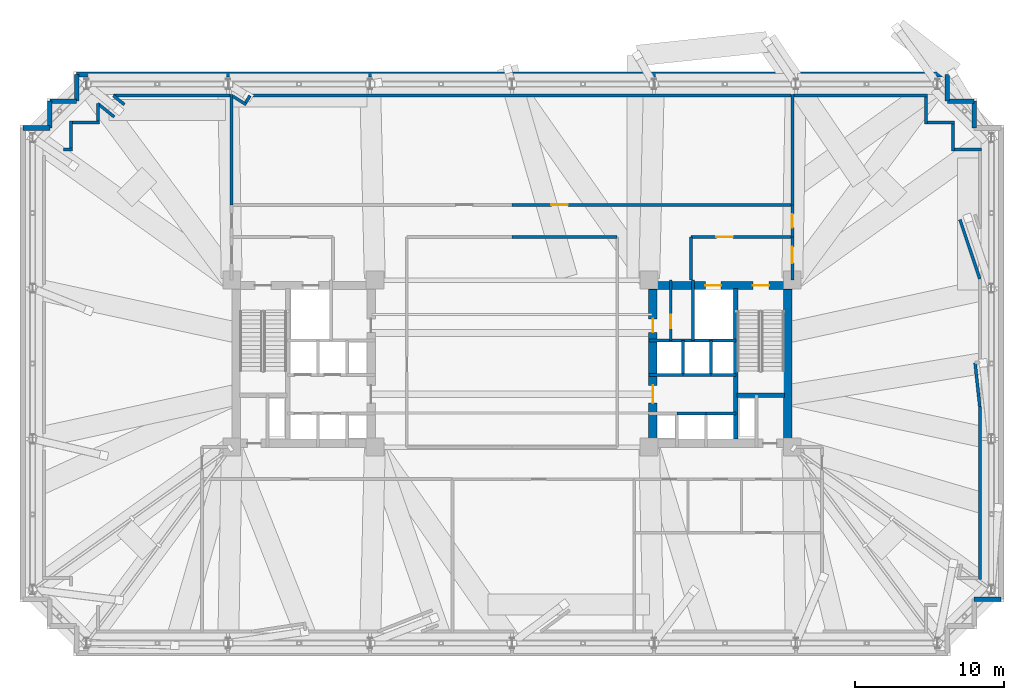
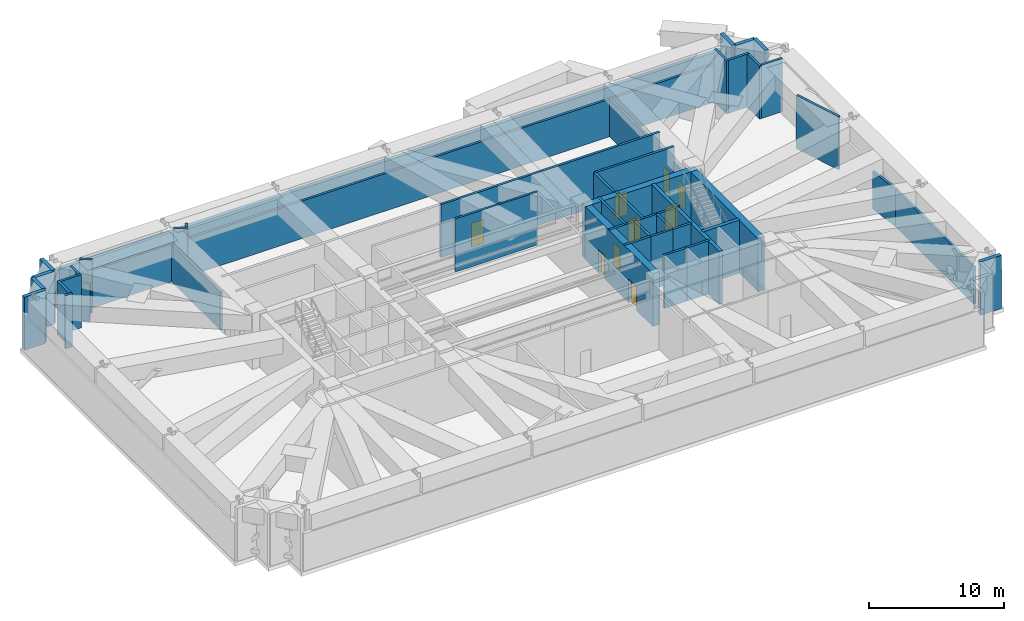
# One storey, part 17 of 20: 50 walls, 9 doors, 9 openings.
"""IFC4 building model written with IfcOpenShell, lengths in metres."""

from ifc_helpers import new_model, si_unit, direction, frame, frame_2d, origin, place, context, subcontext, project, spatial, rectangle, extrude, material, layer, layer_set, type_object, element, fill, save


model = new_model("IFC4")

# Units and contexts
model_context = context("Model", 3, precision=1e-05, world=origin(), true_north=direction((0.0, 1.0)))
body_context = subcontext(model_context, "Body", "Model", "MODEL_VIEW")
ifc_project = project(units=[si_unit("LENGTHUNIT", "METRE"), si_unit("AREAUNIT", "SQUARE_METRE"), si_unit("VOLUMEUNIT", "CUBIC_METRE"), si_unit("PLANEANGLEUNIT", "RADIAN"), si_unit("MASSUNIT", "GRAM", prefix="KILO")], contexts=[model_context])

# Site, building, storey
site_placement = place(None, origin())
site = spatial("IfcSite", under=ifc_project, at=site_placement, CompositionType="ELEMENT")
building_placement = place(site_placement, origin())
building = spatial("IfcBuilding", under=site, at=building_placement, Name="Qobustan Lattice House", CompositionType="ELEMENT")
storey_placement = place(building_placement, frame((0.0, 0.0, 73.89990234375)))
storey = spatial("IfcBuildingStorey", under=building, at=storey_placement, Name="L20", CompositionType="ELEMENT", Elevation=73.89990234375)

# Wall, openings, doors
ifc_material_1 = material(Name="Concrete C60/75", Category="concrete")
ifc_layer_1 = layer(ifc_material_1, 0.56005859375)
ifc_layer_set_1 = layer_set([ifc_layer_1], Name="Concrete C60/75")
wall_type_1 = type_object("IfcWallType", Name="WAL-CORE-600", PredefinedType="SHEAR", material=ifc_layer_set_1)
wall_1_placement = place(storey_placement, frame((9.199951171875, 5.239990234375, 0.0), z_axis=(0.0, 0.0, 1.0), x_axis=(1.0, 0.0, 0.0)))
wall_1 = element("IfcWall", 1, at=wall_1_placement, inside=storey, type_object=wall_type_1, Name="L20 split-core shear wall CE-N", PredefinedType="SHEAR", context=body_context, shape_type="SweptSolid", body=[
    extrude(rectangle(XDim=9.60009765625, YDim=0.56005859375, at=frame_2d((4.800048828125, 0.0))), origin(), (0.0, 0.0, 1.0), 4.820068359375),
])
opening_1_placement = place(wall_1_placement, frame((6.949951171875, 0.0, 0.0)))
opening_1 = element("IfcOpeningElement", 2, at=opening_1_placement, cuts=wall_1, Name="Opening SD-01", PredefinedType="OPENING", context=body_context, shape_type="SweptSolid", body=[
    extrude(rectangle(XDim=1.10009765625, YDim=2.14990234375, at=frame_2d((0.550048828125, 1.074951171875))), frame((0.0, 0.2900390625, 0.0), z_axis=(0.0, -1.0, 0.0), x_axis=(1.0, 0.0, 0.0)), (0.0, 0.0, 1.0), 0.580078125),
])
opening_2_placement = place(wall_1_placement, frame((3.77490234375, 0.0, 0.0)))
opening_2 = element("IfcOpeningElement", 3, at=opening_2_placement, cuts=wall_1, Name="Opening LD-01", PredefinedType="OPENING", context=body_context, shape_type="SweptSolid", body=[
    extrude(rectangle(XDim=1.050048828125, YDim=2.10009765625, at=frame_2d((0.52490234375, 1.050048828125))), frame((0.0, 0.2900390625, 0.0), z_axis=(0.0, -1.0, 0.0), x_axis=(1.0, 0.0, 0.0)), (0.0, 0.0, 1.0), 0.580078125),
])
ifc_material_2 = material(Name="Persian walnut timber and steel frame door", Category="steel")
door_type_1 = type_object("IfcDoorType", Name="DOR-LIFT-LD-1050x2100", OperationType="NOTDEFINED", PredefinedType="DOOR", material=ifc_material_2)
door_1_placement = place(opening_2_placement, origin())
door_1 = element("IfcDoor", 4, at=door_1_placement, inside=storey, type_object=door_type_1, Name="L20 firefighting lift FF-E landing door", OperationType="DOUBLE_DOOR_SLIDING", OverallHeight=2.10009765625, OverallWidth=1.050048828125, PredefinedType="DOOR", context=body_context, shape_type="SweptSolid", body=[
    extrude(rectangle(XDim=1.050048828125, YDim=2.10009765625, at=frame_2d((0.52490234375, 1.050048828125))), frame((0.0, 0.02490234375, 0.0), z_axis=(0.0, -1.0, 0.0), x_axis=(1.0, 0.0, 0.0)), (0.0, 0.0, 1.0), 0.050048828125),
])
fill(opening_2, door_1)
ifc_material_3 = material(Name="Persian walnut timber and steel frame door", Category="steel")
door_type_2 = type_object("IfcDoorType", Name="DOR-STAIR-FD-1100x2150", OperationType="NOTDEFINED", PredefinedType="DOOR", material=ifc_material_3)
door_2_placement = place(opening_1_placement, origin())
door_2 = element("IfcDoor", 5, at=door_2_placement, inside=storey, type_object=door_type_2, Name="L20 exit stair ST-E1 fire door", OperationType="SINGLE_SWING_RIGHT", OverallHeight=2.14990234375, OverallWidth=1.10009765625, PredefinedType="DOOR", context=body_context, shape_type="SweptSolid", body=[
    extrude(rectangle(XDim=1.10009765625, YDim=2.14990234375, at=frame_2d((0.550048828125, 1.074951171875))), frame((0.0, 0.02490234375, 0.0), z_axis=(0.0, -1.0, 0.0), x_axis=(1.0, 0.0, 0.0)), (0.0, 0.0, 1.0), 0.050048828125),
])
fill(opening_1, door_2)

wall_2_placement = place(storey_placement, frame((9.449951171875, -5.050048828125, 0.0), z_axis=(0.0, 0.0, 1.0), x_axis=(0.0, 1.0, 0.0)))
wall_2 = element("IfcWall", 6, at=wall_2_placement, inside=storey, type_object=wall_type_1, Name="L20 split-core shear wall CE-W", PredefinedType="SHEAR", context=body_context, shape_type="SweptSolid", body=[
    extrude(rectangle(XDim=10.10009765625, YDim=0.56005859375, at=frame_2d((5.050048828125, 0.0))), origin(), (0.0, 0.0, 1.0), 4.820068359375),
])
opening_3_placement = place(wall_2_placement, frame((7.14990234375, 0.0, 0.0)))
opening_3 = element("IfcOpeningElement", 7, at=opening_3_placement, cuts=wall_2, Name="Opening RD-01", PredefinedType="OPENING", context=body_context, shape_type="SweptSolid", body=[
    extrude(rectangle(XDim=0.89990234375, YDim=2.10009765625, at=frame_2d((0.449951171875, 1.050048828125))), frame((0.0, 0.2900390625, 0.0), z_axis=(0.0, -1.0, 0.0), x_axis=(1.0, 0.0, 0.0)), (0.0, 0.0, 1.0), 0.580078125),
])
opening_4_placement = place(wall_2_placement, frame((2.39990234375, 0.0, 0.0)))
opening_4 = element("IfcOpeningElement", 8, at=opening_4_placement, cuts=wall_2, Name="Opening FD-01", PredefinedType="OPENING", context=body_context, shape_type="SweptSolid", body=[
    extrude(rectangle(XDim=1.199951171875, YDim=2.14990234375, at=frame_2d((0.60009765625, 1.074951171875))), frame((0.0, 0.2900390625, 0.0), z_axis=(0.0, -1.0, 0.0), x_axis=(1.0, 0.0, 0.0)), (0.0, 0.0, 1.0), 0.580078125),
])
ifc_material_4 = material(Name="Persian walnut timber and steel frame door", Category="steel")
door_type_3 = type_object("IfcDoorType", Name="DOR-LOBBY-FD-1200x2150", OperationType="NOTDEFINED", PredefinedType="DOOR", material=ifc_material_4)
door_3_placement = place(opening_4_placement, origin())
door_3 = element("IfcDoor", 9, at=door_3_placement, inside=storey, type_object=door_type_3, Name="L20 East passenger lift lobby fire door", OperationType="SINGLE_SWING_LEFT", OverallHeight=2.14990234375, OverallWidth=1.199951171875, PredefinedType="DOOR", context=body_context, shape_type="SweptSolid", body=[
    extrude(rectangle(XDim=1.199951171875, YDim=2.14990234375, at=frame_2d((0.60009765625, 1.074951171875))), frame((0.0, 0.02490234375, 0.0), z_axis=(0.0, -1.0, 0.0), x_axis=(1.0, 0.0, 0.0)), (0.0, 0.0, 1.0), 0.050048828125),
])
fill(opening_4, door_3)
ifc_material_5 = material(Name="Persian walnut timber and steel frame door", Category="steel")
door_type_4 = type_object("IfcDoorType", Name="DOR-RISER-FD-900x2100", OperationType="NOTDEFINED", PredefinedType="DOOR", material=ifc_material_5)
door_4_placement = place(opening_3_placement, origin())
door_4 = element("IfcDoor", 10, at=door_4_placement, inside=storey, type_object=door_type_4, Name="L20 Print and mail closet fire door", OperationType="SINGLE_SWING_RIGHT", OverallHeight=2.10009765625, OverallWidth=0.89990234375, PredefinedType="DOOR", context=body_context, shape_type="SweptSolid", body=[
    extrude(rectangle(XDim=0.89990234375, YDim=2.10009765625, at=frame_2d((0.449951171875, 1.050048828125))), frame((0.0, 0.02490234375, 0.0), z_axis=(0.0, -1.0, 0.0), x_axis=(1.0, 0.0, 0.0)), (0.0, 0.0, 1.0), 0.050048828125),
])
fill(opening_3, door_4)

# Walls
wall_3_placement = place(storey_placement, frame((18.489990234375, -5.050048828125, 0.0), z_axis=(0.0, 0.0, 1.0), x_axis=(0.0, 1.0, 0.0)))
element("IfcWall", 11, at=wall_3_placement, inside=storey, type_object=wall_type_1, Name="L20 split-core shear wall CE-E", PredefinedType="SHEAR", context=body_context, shape_type="SweptSolid", body=[
    extrude(rectangle(XDim=10.10009765625, YDim=0.56005859375, at=frame_2d((5.050048828125, 0.0))), origin(), (0.0, 0.0, 1.0), 4.820068359375),
])
ifc_material_6 = material(Name="Concrete C50/60", Category="concrete")
ifc_layer_2 = layer(ifc_material_6, 0.280029296875)
ifc_layer_set_2 = layer_set([ifc_layer_2], Name="Concrete C50/60")
wall_type_2 = type_object("IfcWallType", Name="WAL-CORE-SPINE-280", PredefinedType="SHEAR", material=ifc_layer_set_2)
wall_4_placement = place(storey_placement, frame((15.02001953125, -5.050048828125, 0.0), z_axis=(0.0, 0.0, 1.0), x_axis=(0.0, 1.0, 0.0)))
element("IfcWall", 12, at=wall_4_placement, inside=storey, type_object=wall_type_2, Name="L20 split-core shear wall CE-M", PredefinedType="SHEAR", context=body_context, shape_type="SweptSolid", body=[
    extrude(rectangle(XDim=10.10009765625, YDim=0.300048828125, at=frame_2d((5.050048828125, 0.0))), origin(), (0.0, 0.0, 1.0), 4.820068359375),
])
wall_5_placement = place(storey_placement, frame((15.10009765625, -2.110107421875, 0.0), z_axis=(0.0, 0.0, 1.0), x_axis=(1.0, 0.0, 0.0)))
element("IfcWall", 13, at=wall_5_placement, inside=storey, type_object=wall_type_2, Name="L20 split-core shear wall CE-ST", PredefinedType="SHEAR", context=body_context, shape_type="SweptSolid", body=[
    extrude(rectangle(XDim=3.179931640625, YDim=0.300048828125, at=frame_2d((1.58984375, 0.0))), origin(), (0.0, 0.0, 1.0), 4.820068359375),
])
ifc_material_7 = material(Name="Precast concrete C40/50", Category="concrete")
ifc_layer_3 = layer(ifc_material_7, 0.320068359375)
ifc_layer_set_3 = layer_set([ifc_layer_3], Name="Precast concrete C40/50")
wall_type_3 = type_object("IfcWallType", Name="WAL-EXT-STONE-320", PredefinedType="SOLIDWALL", material=ifc_layer_set_3)
for number, where, z_axis, x_axis, name in (
    (14, (-32.800048828125, 15.800048828125, 0.0), (0.0, 0.0, 1.0), (1.0, 0.0, 0.0), "L20 exterior limestone-clad wall 6"),
    (15, (-31.0, 15.800048828125, 0.0), (0.0, 0.0, 1.0), (0.0, 1.0, 0.0), "L20 exterior limestone-clad wall 7"),
    (16, (-31.0, 17.60009765625, 0.0), (0.0, 0.0, 1.0), (1.0, 0.0, 0.0), "L20 exterior limestone-clad wall 8"),
):
    element("IfcWall", number, at=place(storey_placement, frame(where, z_axis=z_axis, x_axis=x_axis)), inside=storey, type_object=wall_type_3, Name=name, PredefinedType="SOLIDWALL", context=body_context, shape_type="SweptSolid", body=[
        extrude(rectangle(XDim=1.800048828125, YDim=0.320068359375, at=frame_2d((0.89990234375, 0.0))), origin(), (0.0, 0.0, 1.0), 4.820068359375),
    ])
wall_6_placement = place(storey_placement, frame((-29.199951171875, 17.60009765625, 0.0), z_axis=(0.0, 0.0, 1.0), x_axis=(0.0, 1.0, 0.0)))
element("IfcWall", 17, at=wall_6_placement, inside=storey, type_object=wall_type_3, Name="L20 exterior limestone-clad wall 9", PredefinedType="SOLIDWALL", context=body_context, shape_type="SweptSolid", body=[
    extrude(rectangle(XDim=1.7998046875, YDim=0.320068359375, at=frame_2d((0.89990234375, 0.0))), origin(), (0.0, 0.0, 1.0), 4.820068359375),
])
wall_7_placement = place(storey_placement, frame((-29.199951171875, 19.39990234375, 0.0), z_axis=(0.0, 0.0, 1.0), x_axis=(1.0, 0.0, 0.0)))
element("IfcWall", 18, at=wall_7_placement, inside=storey, type_object=wall_type_3, Name="L20 exterior limestone-clad wall 10", PredefinedType="SOLIDWALL", context=body_context, shape_type="SweptSolid", body=[
    extrude(rectangle(XDim=58.39990234375, YDim=0.320068359375, at=frame_2d((29.199951171875, 0.0))), origin(), (0.0, 0.0, 1.0), 3.405029296875),
])
wall_8_placement = place(storey_placement, frame((29.199951171875, 19.39990234375, 0.0), z_axis=(0.0, 0.0, 1.0), x_axis=(0.0, -1.0, 0.0)))
element("IfcWall", 19, at=wall_8_placement, inside=storey, type_object=wall_type_3, Name="L20 exterior limestone-clad wall 11", PredefinedType="SOLIDWALL", context=body_context, shape_type="SweptSolid", body=[
    extrude(rectangle(XDim=1.7998046875, YDim=0.320068359375, at=frame_2d((0.89990234375, 0.0))), origin(), (0.0, 0.0, 1.0), 4.820068359375),
])
for number, where, z_axis, x_axis, name in (
    (20, (29.199951171875, 17.60009765625, 0.0), (0.0, 0.0, 1.0), (1.0, 0.0, 0.0), "L20 exterior limestone-clad wall 12"),
    (21, (31.0, 17.60009765625, 0.0), (0.0, 0.0, 1.0), (0.0, -1.0, 0.0), "L20 exterior limestone-clad wall 13"),
    (22, (32.800048828125, -15.800048828125, 0.0), (0.0, 0.0, 1.0), (-1.0, 0.0, 0.0), "L20 exterior limestone-clad wall 16"),
):
    element("IfcWall", number, at=place(storey_placement, frame(where, z_axis=z_axis, x_axis=x_axis)), inside=storey, type_object=wall_type_3, Name=name, PredefinedType="SOLIDWALL", context=body_context, shape_type="SweptSolid", body=[
        extrude(rectangle(XDim=1.800048828125, YDim=0.320068359375, at=frame_2d((0.89990234375, 0.0))), origin(), (0.0, 0.0, 1.0), 4.820068359375),
    ])

# Wall, opening, door
ifc_material_8 = material(Name="Gypsum fireboard acoustic partition", Category="gypsum")
ifc_layer_4 = layer(ifc_material_8, 0.179931640625)
ifc_layer_set_4 = layer_set([ifc_layer_4], Name="Gypsum fireboard acoustic partition")
wall_type_4 = type_object("IfcWallType", Name="WAL-FIRE-180", PredefinedType="PARTITIONING", material=ifc_layer_set_4)
wall_9_placement = place(storey_placement, frame((10.64990234375, 1.550048828125, 0.0), z_axis=(0.0, 0.0, 1.0), x_axis=(0.0, 1.0, 0.0)))
wall_9 = element("IfcWall", 23, at=wall_9_placement, inside=storey, type_object=wall_type_4, Name="L20 interior partition 23", PredefinedType="PARTITIONING", context=body_context, shape_type="SweptSolid", body=[
    extrude(rectangle(XDim=4.050048828125, YDim=0.179931640625, at=frame_2d((2.02490234375, 0.0))), origin(), (0.0, 0.0, 1.0), 4.820068359375),
])
opening_5_placement = place(wall_9_placement, frame((0.828857421875, 0.0, 0.0)))
opening_5 = element("IfcOpeningElement", 24, at=opening_5_placement, cuts=wall_9, Name="Opening RD-01", PredefinedType="OPENING", context=body_context, shape_type="SweptSolid", body=[
    extrude(rectangle(XDim=0.89990234375, YDim=2.10009765625, at=frame_2d((0.449951171875, 1.050048828125))), frame((0.0, 0.099853515625, 0.0), z_axis=(0.0, -1.0, 0.0), x_axis=(1.0, 0.0, 0.0)), (0.0, 0.0, 1.0), 0.199951171875),
])
door_5_placement = place(opening_5_placement, origin())
door_5 = element("IfcDoor", 25, at=door_5_placement, inside=storey, type_object=door_type_4, Name="L20 Print and mail closet to Core utility store door", OperationType="SINGLE_SWING_LEFT", OverallHeight=2.10009765625, OverallWidth=0.89990234375, PredefinedType="DOOR", context=body_context, shape_type="SweptSolid", body=[
    extrude(rectangle(XDim=0.89990234375, YDim=2.10009765625, at=frame_2d((0.449951171875, 1.050048828125))), frame((0.0, 0.02490234375, 0.0), z_axis=(0.0, -1.0, 0.0), x_axis=(1.0, 0.0, 0.0)), (0.0, 0.0, 1.0), 0.050048828125),
])
fill(opening_5, door_5)

# Walls
wall_10_placement = place(storey_placement, frame((7.050048828125, 8.5, 0.0), z_axis=(0.0, 0.0, 1.0), x_axis=(-1.0, 0.0, 0.0)))
element("IfcWall", 26, at=wall_10_placement, inside=storey, type_object=wall_type_4, Name="L20 interior partition 41", PredefinedType="PARTITIONING", context=body_context, shape_type="SweptSolid", body=[
    extrude(rectangle(XDim=7.050048828125, YDim=0.179931640625, at=frame_2d((3.52490234375, 0.0))), origin(), (0.0, 0.0, 1.0), 4.820068359375),
])
ifc_material_9 = material(Name="Two-hour gypsum fireboard acoustic partition", Category="gypsum")
ifc_layer_5 = layer(ifc_material_9, 0.199951171875)
ifc_layer_set_5 = layer_set([ifc_layer_5], Name="Two-hour gypsum fireboard acoustic partition")
wall_type_5 = type_object("IfcWallType", Name="WAL-PROT-200", PredefinedType="PARTITIONING", material=ifc_layer_set_5)
wall_11_placement = place(storey_placement, frame((-30.080078125, 14.375, 0.0), z_axis=(0.0, 0.0, 1.0), x_axis=(1.0, 0.0, 0.0)))
element("IfcWall", 27, at=wall_11_placement, inside=storey, type_object=wall_type_5, Name="L20 perimeter belt-truss plenum enclosure wall 11", PredefinedType="PARTITIONING", context=body_context, shape_type="SweptSolid", body=[
    extrude(rectangle(XDim=0.60498046875, YDim=0.199951171875, at=frame_2d((0.302490234375, 0.0))), origin(), (0.0, 0.0, 1.0), 4.820068359375),
])
for number, where, z_axis, x_axis, name in (
    (28, (-29.574951171875, 14.462890625, 0.0), (0.0, 0.0, 1.0), (0.0, 1.0, 0.0), "L20 perimeter belt-truss plenum enclosure wall 12"),
    (29, (-29.487060546875, 16.175048828125, 0.0), (0.0, 0.0, 1.0), (1.0, 0.0, 0.0), "L20 perimeter belt-truss plenum enclosure wall 13"),
):
    element("IfcWall", number, at=place(storey_placement, frame(where, z_axis=z_axis, x_axis=x_axis)), inside=storey, type_object=wall_type_5, Name=name, PredefinedType="PARTITIONING", context=body_context, shape_type="SweptSolid", body=[
        extrude(rectangle(XDim=1.81201171875, YDim=0.199951171875, at=frame_2d((0.906005859375, 0.0))), origin(), (0.0, 0.0, 1.0), 4.820068359375),
    ])
wall_12_placement = place(storey_placement, frame((-27.77490234375, 16.262939453125, 0.0), z_axis=(0.0, 0.0, 1.0), x_axis=(0.0, 1.0, 0.0)))
element("IfcWall", 30, at=wall_12_placement, inside=storey, type_object=wall_type_5, Name="L20 perimeter belt-truss plenum enclosure wall 14", PredefinedType="PARTITIONING", context=body_context, shape_type="SweptSolid", body=[
    extrude(rectangle(XDim=1.173095703125, YDim=0.199951171875, at=frame_2d((0.58642578125, 0.0))), origin(), (0.0, 0.0, 1.0), 4.820068359375),
])
wall_13_placement = place(storey_placement, frame((-27.77490234375, 17.43603515625, 0.0), z_axis=(0.0, 0.0, 1.0), x_axis=(0.777805344516, -0.628505247426, 0.0)))
element("IfcWall", 31, at=wall_13_placement, inside=storey, type_object=wall_type_5, Name="L20 perimeter belt-truss plenum enclosure wall 15", PredefinedType="PARTITIONING", context=body_context, shape_type="SweptSolid", body=[
    extrude(rectangle(XDim=1.41943359375, YDim=0.199951171875, at=frame_2d((0.709716796875, 0.0))), origin(), (0.0, 0.0, 1.0), 3.405029296875),
])
wall_14_placement = place(storey_placement, frame((-25.998291015625, 17.376220703125, 0.0), z_axis=(0.0, 0.0, 1.0), x_axis=(-0.777835201167, 0.628468296595, 0.0)))
element("IfcWall", 32, at=wall_14_placement, inside=storey, type_object=wall_type_5, Name="L20 perimeter belt-truss plenum enclosure wall 16", PredefinedType="PARTITIONING", context=body_context, shape_type="SweptSolid", body=[
    extrude(rectangle(XDim=0.952880859375, YDim=0.199951171875, at=frame_2d((0.4765625, 0.0))), origin(), (0.0, 0.0, 1.0), 4.820068359375),
])
wall_15_placement = place(storey_placement, frame((-26.739501953125, 17.97509765625, 0.0), z_axis=(0.0, 0.0, 1.0), x_axis=(1.0, 0.0, 0.0)))
element("IfcWall", 33, at=wall_15_placement, inside=storey, type_object=wall_type_5, Name="L20 perimeter belt-truss plenum enclosure wall 17", PredefinedType="PARTITIONING", context=body_context, shape_type="SweptSolid", body=[
    extrude(rectangle(XDim=7.864501953125, YDim=0.199951171875, at=frame_2d((3.93212890625, 0.0))), origin(), (0.0, 0.0, 1.0), 3.405029296875),
])
wall_16_placement = place(storey_placement, frame((-18.72509765625, 17.93115234375, 0.0), z_axis=(0.0, 0.0, 1.0), x_axis=(0.851127987043, -0.524958236122, 0.0)))
element("IfcWall", 34, at=wall_16_placement, inside=storey, type_object=wall_type_5, Name="L20 perimeter belt-truss plenum enclosure wall 25", PredefinedType="PARTITIONING", context=body_context, shape_type="SweptSolid", body=[
    extrude(rectangle(XDim=1.059814453125, YDim=0.199951171875, at=frame_2d((0.52978515625, 0.0))), origin(), (0.0, 0.0, 1.0), 4.820068359375),
])
wall_17_placement = place(storey_placement, frame((-17.86181640625, 17.502197265625, 0.0), z_axis=(0.0, 0.0, 1.0), x_axis=(0.525053160406, 0.85106943239, 0.0)))
element("IfcWall", 35, at=wall_17_placement, inside=storey, type_object=wall_type_5, Name="L20 perimeter belt-truss plenum enclosure wall 26", PredefinedType="PARTITIONING", context=body_context, shape_type="SweptSolid", body=[
    extrude(rectangle(XDim=0.5556640625, YDim=0.199951171875, at=frame_2d((0.27783203125, 0.0))), origin(), (0.0, 0.0, 1.0), 4.820068359375),
])
wall_18_placement = place(storey_placement, frame((-17.570068359375, 17.97509765625, 0.0), z_axis=(0.0, 0.0, 1.0), x_axis=(1.0, 0.0, 0.0)))
element("IfcWall", 36, at=wall_18_placement, inside=storey, type_object=wall_type_5, Name="L20 perimeter belt-truss plenum enclosure wall 27", PredefinedType="PARTITIONING", context=body_context, shape_type="SweptSolid", body=[
    extrude(rectangle(XDim=36.295166015625, YDim=0.199951171875, at=frame_2d((18.1474609375, 0.0))), origin(), (0.0, 0.0, 1.0), 3.405029296875),
])
wall_19_placement = place(storey_placement, frame((30.0458984375, 9.657470703125, 0.0), z_axis=(0.0, 0.0, 1.0), x_axis=(0.316996279217, -0.948426781023, 0.0)))
element("IfcWall", 37, at=wall_19_placement, inside=storey, type_object=wall_type_5, Name="L20 perimeter belt-truss plenum enclosure wall 31", PredefinedType="PARTITIONING", context=body_context, shape_type="SweptSolid", body=[
    extrude(rectangle(XDim=4.19287109375, YDim=0.199951171875, at=frame_2d((2.096435546875, 0.0))), origin(), (0.0, 0.0, 1.0), 4.820068359375),
])
wall_20_placement = place(storey_placement, frame((31.05810546875, 0.0595703125, 0.0), z_axis=(0.0, 0.0, 1.0), x_axis=(0.107734616404, -0.994179688199, 0.0)))
element("IfcWall", 38, at=wall_20_placement, inside=storey, type_object=wall_type_5, Name="L20 perimeter belt-truss plenum enclosure wall 34", PredefinedType="PARTITIONING", context=body_context, shape_type="SweptSolid", body=[
    extrude(rectangle(XDim=2.94140625, YDim=0.199951171875, at=frame_2d((1.470703125, 0.0))), origin(), (0.0, 0.0, 1.0), 3.405029296875),
])
wall_21_placement = place(storey_placement, frame((31.375, -2.86474609375, 0.0), z_axis=(0.0, 0.0, 1.0), x_axis=(0.0, -1.0, 0.0)))
element("IfcWall", 39, at=wall_21_placement, inside=storey, type_object=wall_type_5, Name="L20 perimeter belt-truss plenum enclosure wall 35", PredefinedType="PARTITIONING", context=body_context, shape_type="SweptSolid", body=[
    extrude(rectangle(XDim=11.6103515625, YDim=0.199951171875, at=frame_2d((5.80517578125, 0.0))), origin(), (0.0, 0.0, 1.0), 3.405029296875),
])
wall_22_placement = place(storey_placement, frame((18.875, 17.97509765625, 0.0), z_axis=(0.0, 0.0, 1.0), x_axis=(1.0, 0.0, 0.0)))
element("IfcWall", 40, at=wall_22_placement, inside=storey, type_object=wall_type_5, Name="L20 perimeter belt-truss plenum enclosure wall 41", PredefinedType="PARTITIONING", context=body_context, shape_type="SweptSolid", body=[
    extrude(rectangle(XDim=9.0, YDim=0.199951171875, at=frame_2d((4.5, 0.0))), origin(), (0.0, 0.0, 1.0), 3.405029296875),
])
for number, where, z_axis, x_axis, name in (
    (41, (27.77490234375, 17.886962890625, 0.0), (0.0, 0.0, 1.0), (0.0, -1.0, 0.0), "L20 perimeter belt-truss plenum enclosure wall 42"),
    (42, (27.863037109375, 16.175048828125, 0.0), (0.0, 0.0, 1.0), (1.0, 0.0, 0.0), "L20 perimeter belt-truss plenum enclosure wall 43"),
    (43, (29.574951171875, 16.0869140625, 0.0), (0.0, 0.0, 1.0), (0.0, -1.0, 0.0), "L20 perimeter belt-truss plenum enclosure wall 44"),
    (44, (29.6630859375, 14.375, 0.0), (0.0, 0.0, 1.0), (1.0, 0.0, 0.0), "L20 perimeter belt-truss plenum enclosure wall 45"),
):
    element("IfcWall", number, at=place(storey_placement, frame(where, z_axis=z_axis, x_axis=x_axis)), inside=storey, type_object=wall_type_5, Name=name, PredefinedType="PARTITIONING", context=body_context, shape_type="SweptSolid", body=[
        extrude(rectangle(XDim=1.81201171875, YDim=0.199951171875, at=frame_2d((0.906005859375, 0.0))), origin(), (0.0, 0.0, 1.0), 4.820068359375),
    ])

# Wall, opening, door
wall_23_placement = place(storey_placement, frame((18.800048828125, 8.5, 0.0), z_axis=(0.0, 0.0, 1.0), x_axis=(-1.0, 0.0, 0.0)))
wall_23 = element("IfcWall", 45, at=wall_23_placement, inside=storey, type_object=wall_type_5, Name="L20 interior partition 20", PredefinedType="PARTITIONING", context=body_context, shape_type="SweptSolid", body=[
    extrude(rectangle(XDim=6.800048828125, YDim=0.199951171875, at=frame_2d((3.39990234375, 0.0))), origin(), (0.0, 0.0, 1.0), 4.820068359375),
])
opening_6_placement = place(wall_23_placement, frame((3.985107421875, 0.0, 0.0)))
opening_6 = element("IfcOpeningElement", 46, at=opening_6_placement, cuts=wall_23, Name="Opening SD-01", PredefinedType="OPENING", context=body_context, shape_type="SweptSolid", body=[
    extrude(rectangle(XDim=1.10009765625, YDim=2.14990234375, at=frame_2d((0.550048828125, 1.074951171875))), frame((0.0, 0.10986328125, 0.0), z_axis=(0.0, -1.0, 0.0), x_axis=(1.0, 0.0, 0.0)), (0.0, 0.0, 1.0), 0.219970703125),
])
door_6_placement = place(opening_6_placement, origin())
door_6 = element("IfcDoor", 47, at=door_6_placement, inside=storey, type_object=door_type_2, Name="L20 East firefighting lift lobby to North-east mechanical plant corridor door", OperationType="SINGLE_SWING_LEFT", OverallHeight=2.14990234375, OverallWidth=1.10009765625, PredefinedType="DOOR", context=body_context, shape_type="SweptSolid", body=[
    extrude(rectangle(XDim=1.10009765625, YDim=2.14990234375, at=frame_2d((0.550048828125, 1.074951171875))), frame((0.0, 0.02490234375, 0.0), z_axis=(0.0, -1.0, 0.0), x_axis=(1.0, 0.0, 0.0)), (0.0, 0.0, 1.0), 0.050048828125),
])
fill(opening_6, door_6)

# Wall
wall_24_placement = place(storey_placement, frame((12.0, 8.5, 0.0), z_axis=(0.0, 0.0, 1.0), x_axis=(0.0, -1.0, 0.0)))
element("IfcWall", 48, at=wall_24_placement, inside=storey, type_object=wall_type_5, Name="L20 interior partition 21", PredefinedType="PARTITIONING", context=body_context, shape_type="SweptSolid", body=[
    extrude(rectangle(XDim=2.89990234375, YDim=0.199951171875, at=frame_2d((1.449951171875, 0.0))), origin(), (0.0, 0.0, 1.0), 4.820068359375),
])

# Wall, opening, door
wall_25_placement = place(storey_placement, frame((18.800048828125, 5.60009765625, 0.0), z_axis=(0.0, 0.0, 1.0), x_axis=(0.0, 1.0, 0.0)))
wall_25 = element("IfcWall", 49, at=wall_25_placement, inside=storey, type_object=wall_type_5, Name="L20 interior partition 22", PredefinedType="PARTITIONING", context=body_context, shape_type="SweptSolid", body=[
    extrude(rectangle(XDim=2.89990234375, YDim=0.199951171875, at=frame_2d((1.449951171875, 0.0))), origin(), (0.0, 0.0, 1.0), 3.405029296875),
])
opening_7_placement = place(wall_25_placement, frame((1.139892578125, 0.0, 0.0)))
opening_7 = element("IfcOpeningElement", 50, at=opening_7_placement, cuts=wall_25, Name="Opening SD-01", PredefinedType="OPENING", context=body_context, shape_type="SweptSolid", body=[
    extrude(rectangle(XDim=1.10009765625, YDim=2.14990234375, at=frame_2d((0.550048828125, 1.074951171875))), frame((0.0, 0.10986328125, 0.0), z_axis=(0.0, -1.0, 0.0), x_axis=(1.0, 0.0, 0.0)), (0.0, 0.0, 1.0), 0.219970703125),
])
door_7_placement = place(opening_7_placement, origin())
door_7 = element("IfcDoor", 51, at=door_7_placement, inside=storey, type_object=door_type_2, Name="L20 East firefighting lift lobby to East protected refuge area door", OperationType="SINGLE_SWING_RIGHT", OverallHeight=2.14990234375, OverallWidth=1.10009765625, PredefinedType="DOOR", context=body_context, shape_type="SweptSolid", body=[
    extrude(rectangle(XDim=1.10009765625, YDim=2.14990234375, at=frame_2d((0.550048828125, 1.074951171875))), frame((0.0, 0.02490234375, 0.0), z_axis=(0.0, -1.0, 0.0), x_axis=(1.0, 0.0, 0.0)), (0.0, 0.0, 1.0), 0.050048828125),
])
fill(opening_7, door_7)

wall_26_placement = place(storey_placement, frame((18.800048828125, 10.64990234375, 0.0), z_axis=(0.0, 0.0, 1.0), x_axis=(0.0, -1.0, 0.0)))
wall_26 = element("IfcWall", 52, at=wall_26_placement, inside=storey, type_object=wall_type_5, Name="L20 interior partition 39", PredefinedType="PARTITIONING", context=body_context, shape_type="SweptSolid", body=[
    extrude(rectangle(XDim=2.14990234375, YDim=0.199951171875, at=frame_2d((1.074951171875, 0.0))), origin(), (0.0, 0.0, 1.0), 3.405029296875),
])
opening_8_placement = place(wall_26_placement, frame((0.625, 0.0, 0.0)))
opening_8 = element("IfcOpeningElement", 53, at=opening_8_placement, cuts=wall_26, Name="Opening RD-01", PredefinedType="OPENING", context=body_context, shape_type="SweptSolid", body=[
    extrude(rectangle(XDim=0.89990234375, YDim=2.10009765625, at=frame_2d((0.449951171875, 1.050048828125))), frame((0.0, 0.10986328125, 0.0), z_axis=(0.0, -1.0, 0.0), x_axis=(1.0, 0.0, 0.0)), (0.0, 0.0, 1.0), 0.219970703125),
])
door_8_placement = place(opening_8_placement, origin())
door_8 = element("IfcDoor", 54, at=door_8_placement, inside=storey, type_object=door_type_4, Name="L20 North-east mechanical plant corridor to East protected refuge area door", OperationType="SINGLE_SWING_RIGHT", OverallHeight=2.10009765625, OverallWidth=0.89990234375, PredefinedType="DOOR", context=body_context, shape_type="SweptSolid", body=[
    extrude(rectangle(XDim=0.89990234375, YDim=2.10009765625, at=frame_2d((0.449951171875, 1.050048828125))), frame((0.0, 0.02490234375, 0.0), z_axis=(0.0, -1.0, 0.0), x_axis=(1.0, 0.0, 0.0)), (0.0, 0.0, 1.0), 0.050048828125),
])
fill(opening_8, door_8)

wall_27_placement = place(storey_placement, frame((0.0, 10.64990234375, 0.0), z_axis=(0.0, 0.0, 1.0), x_axis=(1.0, 0.0, 0.0)))
wall_27 = element("IfcWall", 55, at=wall_27_placement, inside=storey, type_object=wall_type_5, Name="L20 interior partition 40", PredefinedType="PARTITIONING", context=body_context, shape_type="SweptSolid", body=[
    extrude(rectangle(XDim=18.800048828125, YDim=0.199951171875, at=frame_2d((9.39990234375, 0.0))), origin(), (0.0, 0.0, 1.0), 4.820068359375),
])
opening_9_placement = place(wall_27_placement, frame((2.6474609375, 0.0, 0.0)))
opening_9 = element("IfcOpeningElement", 56, at=opening_9_placement, cuts=wall_27, Name="Opening SD-01", PredefinedType="OPENING", context=body_context, shape_type="SweptSolid", body=[
    extrude(rectangle(XDim=1.10009765625, YDim=2.14990234375, at=frame_2d((0.550048828125, 1.074951171875))), frame((0.0, 0.10986328125, 0.0), z_axis=(0.0, -1.0, 0.0), x_axis=(1.0, 0.0, 0.0)), (0.0, 0.0, 1.0), 0.219970703125),
])
door_9_placement = place(opening_9_placement, origin())
door_9 = element("IfcDoor", 57, at=door_9_placement, inside=storey, type_object=door_type_2, Name="L20 North-east mechanical plant corridor to North protected refuge area door", OperationType="SINGLE_SWING_LEFT", OverallHeight=2.14990234375, OverallWidth=1.10009765625, PredefinedType="DOOR", context=body_context, shape_type="SweptSolid", body=[
    extrude(rectangle(XDim=1.10009765625, YDim=2.14990234375, at=frame_2d((0.550048828125, 1.074951171875))), frame((0.0, 0.02490234375, 0.0), z_axis=(0.0, -1.0, 0.0), x_axis=(1.0, 0.0, 0.0)), (0.0, 0.0, 1.0), 0.050048828125),
])
fill(opening_9, door_9)

# Walls
for number, where, z_axis, x_axis, name in (
    (58, (-18.800048828125, 18.050048828125, 0.0), (0.0, 0.0, 1.0), (0.0, -1.0, 0.0), "L20 interior partition 56"),
    (59, (18.800048828125, 10.64990234375, 0.0), (0.0, 0.0, 1.0), (0.0, 1.0, 0.0), "L20 interior partition 58"),
):
    element("IfcWall", number, at=place(storey_placement, frame(where, z_axis=z_axis, x_axis=x_axis)), inside=storey, type_object=wall_type_5, Name=name, PredefinedType="PARTITIONING", context=body_context, shape_type="SweptSolid", body=[
        extrude(rectangle(XDim=7.400146484375, YDim=0.199951171875, at=frame_2d((3.7001953125, 0.0))), origin(), (0.0, 0.0, 1.0), 3.405029296875),
    ])
ifc_material_10 = material(Name="Concrete C40/50", Category="concrete")
ifc_layer_6 = layer(ifc_material_10, 0.199951171875)
ifc_layer_set_6 = layer_set([ifc_layer_6], Name="Concrete C40/50")
wall_type_6 = type_object("IfcWallType", Name="WAL-SHAFT-200", PredefinedType="PARTITIONING", material=ifc_layer_set_6)
wall_28_placement = place(storey_placement, frame((12.14990234375, 5.60009765625, 0.0), z_axis=(0.0, 0.0, 1.0), x_axis=(0.0, -1.0, 0.0)))
element("IfcWall", 60, at=wall_28_placement, inside=storey, type_object=wall_type_6, Name="L20 interior partition 19", PredefinedType="PARTITIONING", context=body_context, shape_type="SweptSolid", body=[
    extrude(rectangle(XDim=4.050048828125, YDim=0.199951171875, at=frame_2d((2.02490234375, 0.0))), origin(), (0.0, 0.0, 1.0), 4.820068359375),
])
wall_29_placement = place(storey_placement, frame((11.080078125, -3.35009765625, 0.0), z_axis=(0.0, 0.0, 1.0), x_axis=(1.0, 0.0, 0.0)))
element("IfcWall", 61, at=wall_29_placement, inside=storey, type_object=wall_type_6, Name="L20 interior partition 26", PredefinedType="PARTITIONING", context=body_context, shape_type="SweptSolid", body=[
    extrude(rectangle(XDim=1.93994140625, YDim=0.199951171875, at=frame_2d((0.969970703125, 0.0))), origin(), (0.0, 0.0, 1.0), 4.820068359375),
])
wall_30_placement = place(storey_placement, frame((13.02001953125, -3.35009765625, 0.0), z_axis=(0.0, 0.0, 1.0), x_axis=(1.0, 0.0, 0.0)))
element("IfcWall", 62, at=wall_30_placement, inside=storey, type_object=wall_type_6, Name="L20 interior partition 27", PredefinedType="PARTITIONING", context=body_context, shape_type="SweptSolid", body=[
    extrude(rectangle(XDim=2.0, YDim=0.199951171875, at=frame_2d((1.0, 0.0))), origin(), (0.0, 0.0, 1.0), 4.820068359375),
])
wall_31_placement = place(storey_placement, frame((11.4599609375, -0.75, 0.0), z_axis=(0.0, 0.0, 1.0), x_axis=(-1.0, 0.0, 0.0)))
element("IfcWall", 63, at=wall_31_placement, inside=storey, type_object=wall_type_6, Name="L20 interior partition 28", PredefinedType="PARTITIONING", context=body_context, shape_type="SweptSolid", body=[
    extrude(rectangle(XDim=2.260009765625, YDim=0.199951171875, at=frame_2d((1.1298828125, 0.0))), origin(), (0.0, 0.0, 1.0), 4.820068359375),
])
wall_32_placement = place(storey_placement, frame((13.340087890625, -0.75, 0.0), z_axis=(0.0, 0.0, 1.0), x_axis=(-1.0, 0.0, 0.0)))
element("IfcWall", 64, at=wall_32_placement, inside=storey, type_object=wall_type_6, Name="L20 interior partition 29", PredefinedType="PARTITIONING", context=body_context, shape_type="SweptSolid", body=[
    extrude(rectangle(XDim=1.880126953125, YDim=0.199951171875, at=frame_2d((0.93994140625, 0.0))), origin(), (0.0, 0.0, 1.0), 4.820068359375),
])
wall_33_placement = place(storey_placement, frame((15.02001953125, -0.75, 0.0), z_axis=(0.0, 0.0, 1.0), x_axis=(-1.0, 0.0, 0.0)))
element("IfcWall", 65, at=wall_33_placement, inside=storey, type_object=wall_type_6, Name="L20 interior partition 30", PredefinedType="PARTITIONING", context=body_context, shape_type="SweptSolid", body=[
    extrude(rectangle(XDim=1.679931640625, YDim=0.199951171875, at=frame_2d((0.83984375, 0.0))), origin(), (0.0, 0.0, 1.0), 4.820068359375),
])
for number, where, z_axis, x_axis, name in (
    (66, (11.4599609375, -0.75, 0.0), (0.0, 0.0, 1.0), (0.0, 1.0, 0.0), "L20 interior partition 34"),
    (67, (13.340087890625, -0.75, 0.0), (0.0, 0.0, 1.0), (0.0, 1.0, 0.0), "L20 interior partition 35"),
):
    element("IfcWall", number, at=place(storey_placement, frame(where, z_axis=z_axis, x_axis=x_axis)), inside=storey, type_object=wall_type_6, Name=name, PredefinedType="PARTITIONING", context=body_context, shape_type="SweptSolid", body=[
        extrude(rectangle(XDim=2.300048828125, YDim=0.199951171875, at=frame_2d((1.14990234375, 0.0))), origin(), (0.0, 0.0, 1.0), 4.820068359375),
    ])
wall_34_placement = place(storey_placement, frame((9.199951171875, 1.550048828125, 0.0), z_axis=(0.0, 0.0, 1.0), x_axis=(1.0, 0.0, 0.0)))
element("IfcWall", 68, at=wall_34_placement, inside=storey, type_object=wall_type_6, Name="L20 interior partition 70", PredefinedType="PARTITIONING", context=body_context, shape_type="SweptSolid", body=[
    extrude(rectangle(XDim=5.820068359375, YDim=0.199951171875, at=frame_2d((2.91015625, 0.0))), origin(), (0.0, 0.0, 1.0), 4.820068359375),
])

save(model, "model.ifc")
